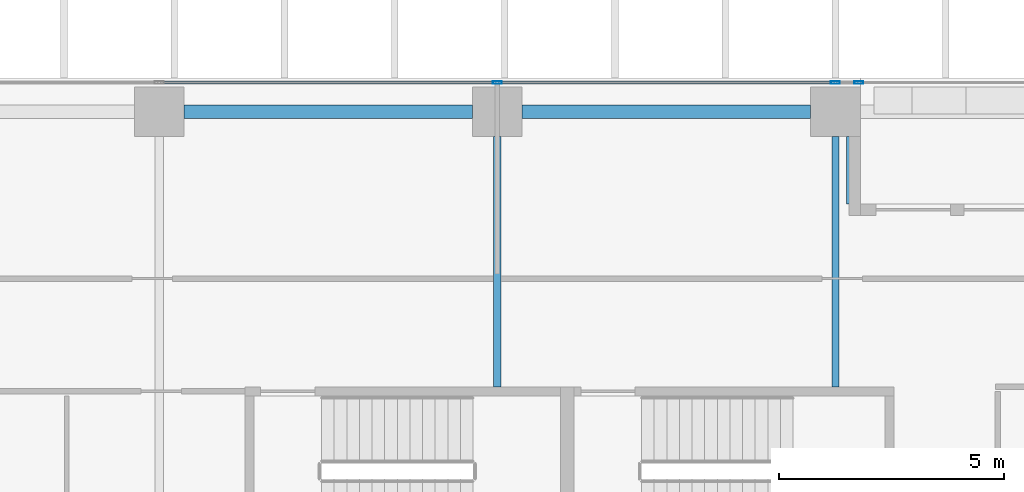
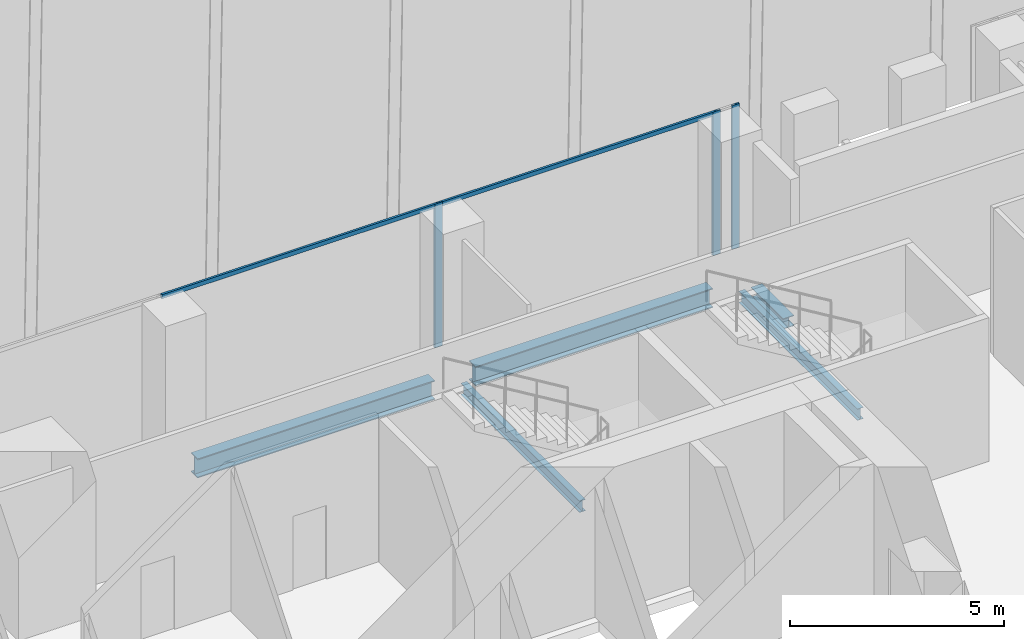
# One storey, part 15 of 34: 5 beams, 5 members, 1 element without a shape of its own.
"""IFC4 building model written with IfcOpenShell, lengths in metres."""

from ifc_helpers import new_model, si_unit, direction, frame, origin, origin_2d, place, context, subcontext, project, spatial, hollow_rectangle, i_section, extrude, source, transform, mapped, material, material_profile, profile_set, type_object, element, aggregate, save


model = new_model("IFC4")

# Units and contexts
model_context = context("Model", 3, precision=1e-05, world=origin(), true_north=direction((0.0, 1.0)))
body_context = subcontext(model_context, "Body", "Model", "MODEL_VIEW")
ifc_project = project(units=[si_unit("LENGTHUNIT", "METRE"), si_unit("AREAUNIT", "SQUARE_METRE"), si_unit("VOLUMEUNIT", "CUBIC_METRE"), si_unit("PLANEANGLEUNIT", "RADIAN"), si_unit("MASSUNIT", "GRAM", prefix="KILO")], contexts=[model_context])

# Site, building, storey
site_placement = place(None, origin())
site = spatial("IfcSite", under=ifc_project, at=site_placement, CompositionType="ELEMENT")
building_placement = place(site_placement, origin())
building = spatial("IfcBuilding", under=site, at=building_placement, Name="Khomas Fold Tower", CompositionType="ELEMENT")
storey_placement = place(building_placement, frame((0.0, 0.0, 114.699951171875)))
storey = spatial("IfcBuildingStorey", under=building, at=storey_placement, Name="L24", CompositionType="ELEMENT", Elevation=114.699951171875)

# Beams
ifc_material_1 = material(Name="Steel S355", Category="steel")
ifc_material_profile_1 = material_profile(ifc_material_1, i_section(OverallWidth=0.300048828125, OverallDepth=0.550048828125, WebThickness=0.014892578125, FlangeThickness=0.029052734375, at=origin_2d()), Name="HE 550 B")
ifc_profile_set_1 = profile_set([ifc_material_profile_1], Name="Steel S355")
beam_type_1 = type_object("IfcBeamType", Name="HE 550 B spandrel SB2", PredefinedType="SPANDREL", material=ifc_profile_set_1)
shared_shape_1 = source(origin(), body_context, "Body", "SweptSolid", [
    extrude(i_section(OverallWidth=0.300048828125, OverallDepth=0.550048828125, WebThickness=0.014892578125, FlangeThickness=0.029052734375, at=origin_2d()), origin(), (0.0, 0.0, 1.0), 6.39990234375),
])
for number, where, z_axis, x_axis, name in (
    (1, (20.050048828125, 51.75, -0.574951171875), (1.0, 0.0, 0.0), (0.0, 1.0, 0.0), "SB2"),
    (2, (12.550048828125, 51.75, -0.574951171875), (1.0, 0.0, 0.0), (0.0, 1.0, 0.0), "SB2"),
):
    element("IfcBeam", number, at=place(storey_placement, frame(where, z_axis=z_axis, x_axis=x_axis)), inside=storey, type_object=beam_type_1, Name=name, PredefinedType="SPANDREL", context=body_context, shape_type="MappedRepresentation", body=[
        mapped(shared_shape_1, transform((0.0, 0.0, 0.0))),
    ])
ifc_material_2 = material(Name="Steel S355", Category="steel")
ifc_material_profile_2 = material_profile(ifc_material_2, i_section(OverallWidth=0.159912109375, OverallDepth=0.330078125, WebThickness=0.007568359375, FlangeThickness=0.011474609375, at=origin_2d()), Name="IPE 330")
ifc_profile_set_2 = profile_set([ifc_material_profile_2], Name="Steel S355")
beam_type_2 = type_object("IfcBeamType", Name="IPE 330 beam JB1", PredefinedType="BEAM", material=ifc_profile_set_2)
shared_shape_2 = source(origin(), body_context, "Body", "SweptSolid", [
    extrude(i_section(OverallWidth=0.159912109375, OverallDepth=0.330078125, WebThickness=0.007568359375, FlangeThickness=0.011474609375, at=origin_2d()), origin(), (0.0, 0.0, 1.0), 5.550048828125),
])
for number, where, z_axis, x_axis, name in (
    (3, (19.5, 45.64990234375, -0.46484375), (0.0, 1.0, 0.0), (-1.0, 0.0, 0.0), "JB1"),
    (4, (27.0, 45.64990234375, -0.46484375), (0.0, 1.0, 0.0), (-1.0, 0.0, 0.0), "JB1"),
):
    element("IfcBeam", number, at=place(storey_placement, frame(where, z_axis=z_axis, x_axis=x_axis)), inside=storey, type_object=beam_type_2, Name=name, PredefinedType="BEAM", context=body_context, shape_type="MappedRepresentation", body=[
        mapped(shared_shape_2, transform((0.0, 0.0, 0.0))),
    ])
ifc_material_3 = material(Name="Steel S355", Category="steel")
ifc_material_profile_3 = material_profile(ifc_material_3, i_section(OverallWidth=0.300048828125, OverallDepth=0.300048828125, WebThickness=0.010986328125, FlangeThickness=0.01904296875, at=origin_2d()), Name="HE 300 B")
ifc_profile_set_3 = profile_set([ifc_material_profile_3], Name="Steel S355")
beam_type_3 = type_object("IfcBeamType", Name="HE 300 B beam BB1", PredefinedType="BEAM", material=ifc_profile_set_3)
shared_shape_3 = source(origin(), body_context, "Body", "SweptSolid", [
    extrude(i_section(OverallWidth=0.300048828125, OverallDepth=0.300048828125, WebThickness=0.010986328125, FlangeThickness=0.01904296875, at=origin_2d()), origin(), (0.0, 0.0, 1.0), 1.5),
])
beam_placement = place(storey_placement, frame((27.39990234375, 49.699951171875, -0.449951171875), z_axis=(0.0, 1.0, 0.0), x_axis=(-1.0, 0.0, 0.0)))
element("IfcBeam", 5, at=beam_placement, inside=storey, type_object=beam_type_3, Name="BB1", PredefinedType="BEAM", context=body_context, shape_type="MappedRepresentation", body=[
    mapped(shared_shape_3, transform((0.0, 0.0, 0.0))),
])

# Curtain wall, members
ifc_material_4 = material(Name="Aluminium framed double glazing", Category="aluminium")
curtain_wall_type = type_object("IfcCurtainWallType", Name="SK-Unitised clear-glass wall, growing floors CW1", PredefinedType="NOTDEFINED", material=ifc_material_4)
curtain_wall_placement = place(storey_placement, origin())
curtain_wall = element("IfcCurtainWall", 6, at=curtain_wall_placement, inside=storey, type_object=curtain_wall_type, Name="CW1 run L24 06-1", PredefinedType="NOTDEFINED")
ifc_material_5 = material(Name="Aluminium", Category="aluminium")
ifc_material_profile_4 = material_profile(ifc_material_5, hollow_rectangle(XDim=0.06005859375, YDim=0.1201171875, WallThickness=0.00390625, at=origin_2d()), Name="SK-Unitised clear-glass wall, growing floors transom CW1-T")
ifc_profile_set_4 = profile_set([ifc_material_profile_4], Name="Aluminium")
member_type_1 = type_object("IfcMemberType", Name="SK-Unitised clear-glass wall, growing floors transom CW1-T", PredefinedType="USERDEFINED", material=ifc_profile_set_4)
shared_shape_4 = source(origin(), body_context, "Body", "SweptSolid", [
    extrude(hollow_rectangle(XDim=0.06005859375, YDim=0.1201171875, WallThickness=0.00390625, at=origin_2d()), origin(), (0.0, 0.0, 1.0), 7.43994140625),
])
member_1_placement = place(storey_placement, frame((26.969970703125, 52.39990234375, 4.0400390625), z_axis=(-1.0, 0.0, 0.0), x_axis=(0.0, -1.0, 0.0)))
member_1 = element("IfcMember", 7, at=member_1_placement, type_object=member_type_1, Name="CW1 transom 2", ObjectType="TRANSOM", PredefinedType="USERDEFINED", context=body_context, shape_type="MappedRepresentation", body=[
    mapped(shared_shape_4, transform((0.0, 0.0, 0.0))),
])
member_2_placement = place(storey_placement, frame((19.469970703125, 52.39990234375, 4.0400390625), z_axis=(-1.0, 0.0, 0.0), x_axis=(0.0, -1.0, 0.0)))
member_2 = element("IfcMember", 8, at=member_2_placement, type_object=member_type_1, Name="CW1 transom 3", ObjectType="TRANSOM", PredefinedType="USERDEFINED", context=body_context, shape_type="MappedRepresentation", body=[
    mapped(shared_shape_4, transform((0.0, 0.0, 0.0))),
])
ifc_material_6 = material(Name="Aluminium", Category="aluminium")
ifc_material_profile_5 = material_profile(ifc_material_6, hollow_rectangle(XDim=0.06005859375, YDim=0.199951171875, WallThickness=0.00390625, at=origin_2d()), Name="SK-Unitised clear-glass wall, growing floors mullion CW1-M")
ifc_profile_set_5 = profile_set([ifc_material_profile_5], Name="Aluminium")
member_type_2 = type_object("IfcMemberType", Name="SK-Unitised clear-glass wall, growing floors mullion CW1-M", PredefinedType="MULLION", material=ifc_profile_set_5)
shared_shape_5 = source(origin(), body_context, "Body", "SweptSolid", [
    extrude(hollow_rectangle(XDim=0.06005859375, YDim=0.199951171875, WallThickness=0.00390625, at=origin_2d()), origin(), (0.0, 0.0, 1.0), 4.10009765625),
])
member_3_placement = place(storey_placement, frame((27.52001953125, 52.39990234375, 0.0), z_axis=(0.0, 0.0, 1.0), x_axis=(0.0, -1.0, 0.0)))
member_3 = element("IfcMember", 9, at=member_3_placement, type_object=member_type_2, Name="CW1 mullion 1", PredefinedType="MULLION", context=body_context, shape_type="MappedRepresentation", body=[
    mapped(shared_shape_5, transform((0.0, 0.0, 0.0))),
])
member_4_placement = place(storey_placement, frame((27.0, 52.39990234375, 0.0), z_axis=(0.0, 0.0, 1.0), x_axis=(0.0, -1.0, 0.0)))
member_4 = element("IfcMember", 10, at=member_4_placement, type_object=member_type_2, Name="CW1 mullion 2", PredefinedType="MULLION", context=body_context, shape_type="MappedRepresentation", body=[
    mapped(shared_shape_5, transform((0.0, 0.0, 0.0))),
])
member_5_placement = place(storey_placement, frame((19.5, 52.39990234375, 0.0), z_axis=(0.0, 0.0, 1.0), x_axis=(0.0, -1.0, 0.0)))
member_5 = element("IfcMember", 11, at=member_5_placement, type_object=member_type_2, Name="CW1 mullion 3", PredefinedType="MULLION", context=body_context, shape_type="MappedRepresentation", body=[
    mapped(shared_shape_5, transform((0.0, 0.0, 0.0))),
])
aggregate(curtain_wall, [member_3, member_4, member_5, member_1, member_2])

save(model, "model.ifc")
